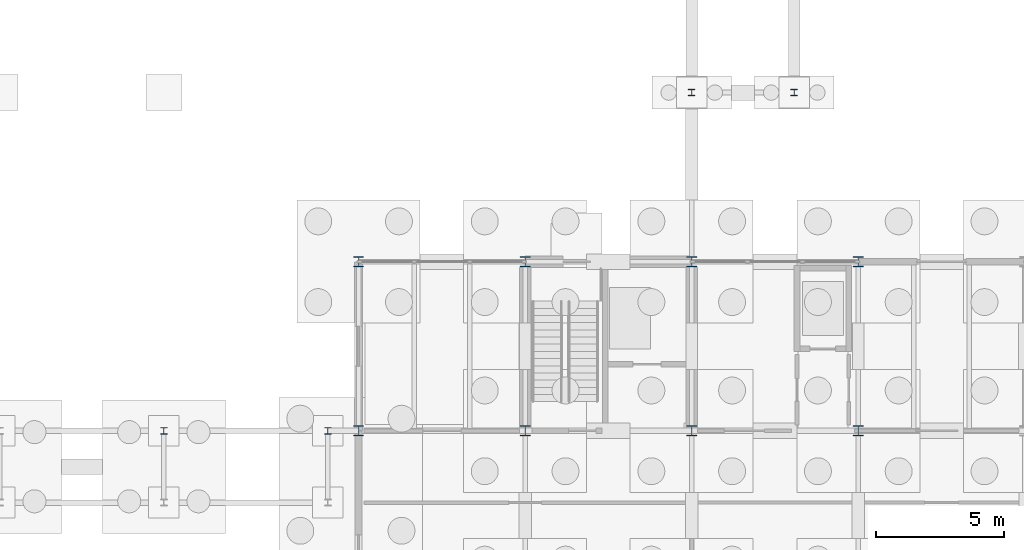
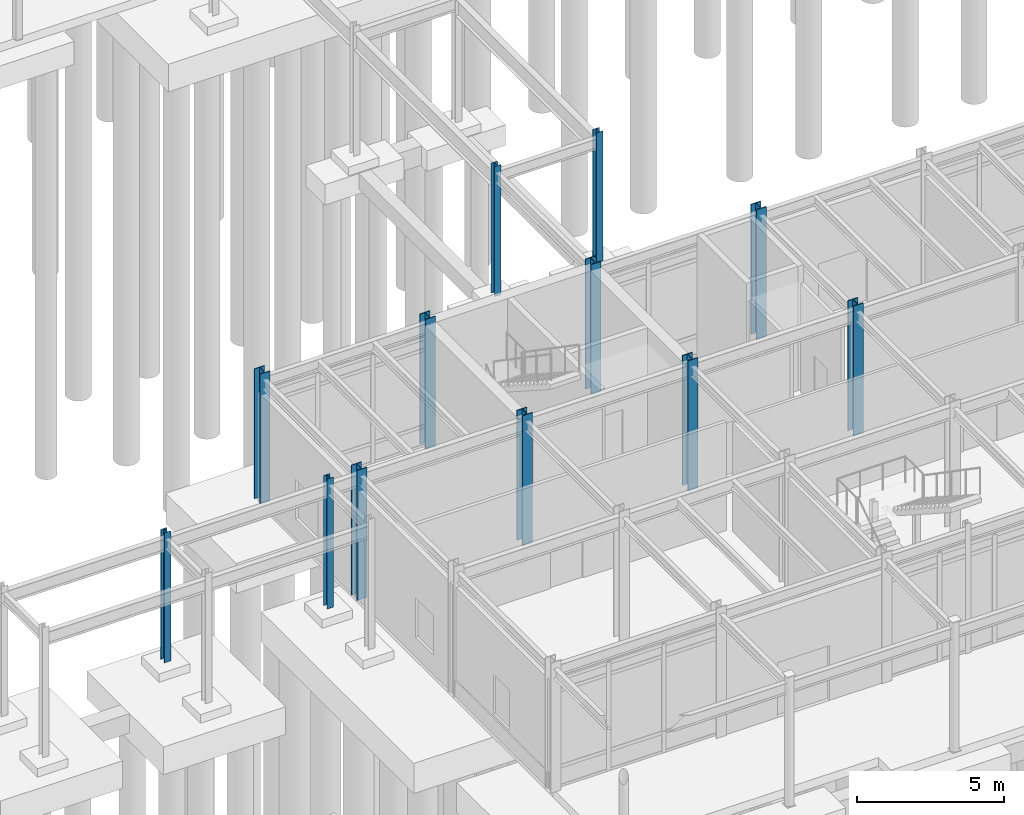
# One storey, part 17 of 82: 12 columns.
"""IFC4 building model written with IfcOpenShell, lengths in metres."""

from ifc_helpers import new_model, si_unit, direction, frame, origin, origin_2d, place, context, subcontext, project, spatial, i_section, extrude, material, material_profile, profile_set, type_object, element, save


model = new_model("IFC4")

# Units and contexts
model_context = context("Model", 3, precision=1e-05, world=origin(), true_north=direction((0.0, 1.0)))
body_context = subcontext(model_context, "Body", "Model", "MODEL_VIEW")
ifc_project = project(units=[si_unit("LENGTHUNIT", "METRE"), si_unit("AREAUNIT", "SQUARE_METRE"), si_unit("VOLUMEUNIT", "CUBIC_METRE"), si_unit("PLANEANGLEUNIT", "RADIAN"), si_unit("MASSUNIT", "GRAM", prefix="KILO")], contexts=[model_context])

# Site, building, storey
site_placement = place(None, origin())
site = spatial("IfcSite", under=ifc_project, at=site_placement, CompositionType="ELEMENT")
building_placement = place(site_placement, origin())
building = spatial("IfcBuilding", under=site, at=building_placement, Name="Trelmorton Wharf Fire Station", CompositionType="ELEMENT")
storey_placement = place(building_placement, origin())
storey = spatial("IfcBuildingStorey", under=building, at=storey_placement, Name="L00", CompositionType="ELEMENT", Elevation=0.0)

# Columns
ifc_material = material(Name="Steel Grade 350", Category="steel")
ifc_material_profile_1 = material_profile(ifc_material, i_section(OverallWidth=0.25390625, OverallDepth=0.25390625, WebThickness=0.008544921875, FlangeThickness=0.01416015625, FilletRadius=0.0126953125, at=origin_2d()), Name="250UC72.9")
ifc_profile_set_1 = profile_set([ifc_material_profile_1], Name="Steel Grade 350")
column_type_1 = type_object("IfcColumnType", Name="COL_250UC73", PredefinedType="COLUMN", material=ifc_profile_set_1)
for number, where, z_axis, x_axis, name in (
    (1, (96.39990234375, 21.0, 0.0), (0.0, 0.0, 1.0), (1.0, 0.0, 0.0), "COL-L00-0143"),
    (2, (102.800048828125, 21.0, 0.0), (0.0, 0.0, 1.0), (1.0, 0.0, 0.0), "COL-L00-0145"),
    (3, (117.0, 34.199951171875, 0.0), (0.0, 0.0, 1.0), (1.0, 0.0, 0.0), "COL-L00-0171"),
    (4, (121.0, 34.199951171875, 0.0), (0.0, 0.0, 1.0), (1.0, 0.0, 0.0), "COL-L00-0179"),
):
    element("IfcColumn", number, at=place(storey_placement, frame(where, z_axis=z_axis, x_axis=x_axis)), inside=storey, type_object=column_type_1, Name=name, PredefinedType="COLUMN", context=body_context, shape_type="SweptSolid", body=[
        extrude(i_section(OverallWidth=0.25390625, OverallDepth=0.25390625, WebThickness=0.008544921875, FlangeThickness=0.01416015625, FilletRadius=0.0126953125, at=origin_2d()), origin(), (0.0, 0.0, 1.0), 5.39990234375),
    ])
ifc_material_profile_2 = material_profile(ifc_material, i_section(OverallWidth=0.39990234375, OverallDepth=0.39990234375, WebThickness=0.02001953125, FlangeThickness=0.031982421875, at=origin_2d()), Name="400WC270")
ifc_profile_set_2 = profile_set([ifc_material_profile_2], Name="Steel Grade 350")
column_type_2 = type_object("IfcColumnType", Name="COL_400WC270", PredefinedType="COLUMN", material=ifc_profile_set_2)
for number, where, z_axis, x_axis, name in (
    (5, (104.0, 21.0, 0.0), (0.0, 0.0, 1.0), (1.0, 0.0, 0.0), "COL-L00-0149"),
    (6, (104.0, 27.60009765625, 0.0), (0.0, 0.0, 1.0), (1.0, 0.0, 0.0), "COL-L00-0150"),
    (7, (110.5, 21.0, 0.0), (0.0, 0.0, 1.0), (1.0, 0.0, 0.0), "COL-L00-0159"),
    (8, (110.5, 27.60009765625, 0.0), (0.0, 0.0, 1.0), (1.0, 0.0, 0.0), "COL-L00-0160"),
    (9, (117.0, 21.0, 0.0), (0.0, 0.0, 1.0), (1.0, 0.0, 0.0), "COL-L00-0169"),
    (10, (117.0, 27.60009765625, 0.0), (0.0, 0.0, 1.0), (1.0, 0.0, 0.0), "COL-L00-0170"),
    (11, (123.5, 21.0, 0.0), (0.0, 0.0, 1.0), (1.0, 0.0, 0.0), "COL-L00-0185"),
    (12, (123.5, 27.60009765625, 0.0), (0.0, 0.0, 1.0), (1.0, 0.0, 0.0), "COL-L00-0186"),
):
    element("IfcColumn", number, at=place(storey_placement, frame(where, z_axis=z_axis, x_axis=x_axis)), inside=storey, type_object=column_type_2, Name=name, PredefinedType="COLUMN", context=body_context, shape_type="SweptSolid", body=[
        extrude(i_section(OverallWidth=0.39990234375, OverallDepth=0.39990234375, WebThickness=0.02001953125, FlangeThickness=0.031982421875, at=origin_2d()), origin(), (0.0, 0.0, 1.0), 5.39990234375),
    ])

save(model, "model.ifc")
